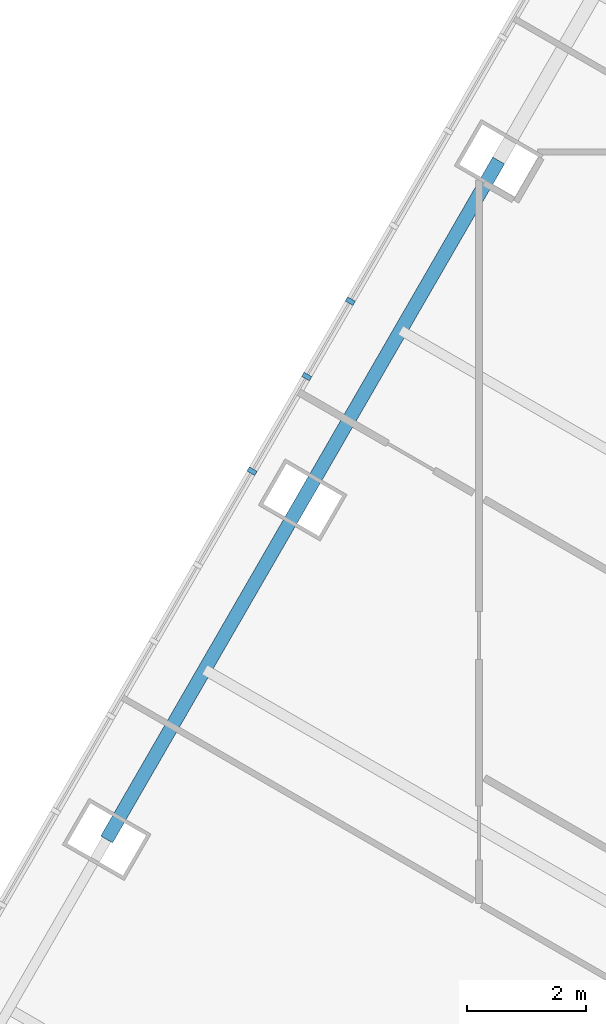
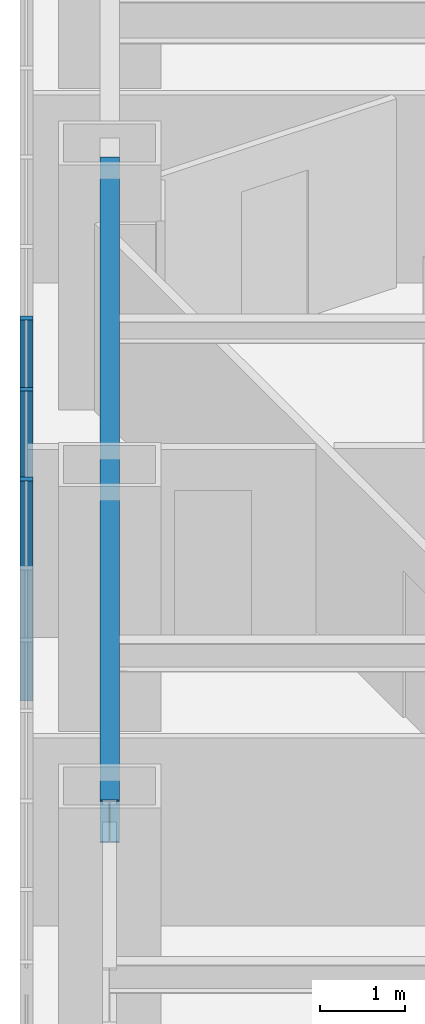
# One storey, part 5 of 21: 3 members, 1 beam, 1 element without a shape of its own.
"""IFC4 building model written with IfcOpenShell, lengths in metres."""

from ifc_helpers import new_model, si_unit, direction, frame, origin, origin_2d, place, context, subcontext, project, spatial, rectangle, i_section, extrude, material, layer, layer_set, material_profile, profile_set, type_object, element, aggregate, save


model = new_model("IFC4")

# Units and contexts
model_context = context("Model", 3, precision=1e-05, world=origin(), true_north=direction((0.0, 1.0)))
body_context = subcontext(model_context, "Body", "Model", "MODEL_VIEW")
ifc_project = project(units=[si_unit("LENGTHUNIT", "METRE"), si_unit("AREAUNIT", "SQUARE_METRE"), si_unit("VOLUMEUNIT", "CUBIC_METRE"), si_unit("PLANEANGLEUNIT", "RADIAN"), si_unit("MASSUNIT", "GRAM", prefix="KILO")], contexts=[model_context])

# Site, building, storey
site_placement = place(None, origin())
site = spatial("IfcSite", under=ifc_project, at=site_placement, CompositionType="ELEMENT")
building_placement = place(site_placement, origin())
building = spatial("IfcBuilding", under=site, at=building_placement, Name="Firuza Gate Tower and Library", CompositionType="ELEMENT")
storey_placement = place(building_placement, frame((0.0, 0.0, 274.10009765625)))
storey = spatial("IfcBuildingStorey", under=building, at=storey_placement, Name="L65", CompositionType="ELEMENT", Elevation=274.10009765625)

# Curtain wall, members
ifc_material_1 = material(Name="Aluminium 6063-T6", Category="aluminium")
ifc_layer = layer(ifc_material_1, 0.14990234375)
ifc_layer_set = layer_set([ifc_layer], Name="Unitised curtain wall, residences")
curtain_wall_type = type_object("IfcCurtainWallType", Name="Unitised curtain wall, residences", PredefinedType="NOTDEFINED", material=ifc_layer_set)
curtain_wall_placement = place(storey_placement, origin())
curtain_wall = element("IfcCurtainWall", 1, at=curtain_wall_placement, inside=storey, type_object=curtain_wall_type, Name="CW3 L65 W face", PredefinedType="NOTDEFINED")
ifc_material_2 = material(Name="Aluminium 6063-T6", Category="aluminium")
ifc_material_profile_1 = material_profile(ifc_material_2, rectangle(XDim=0.14990234375, YDim=0.080078125, at=origin_2d()))
ifc_profile_set_1 = profile_set([ifc_material_profile_1], Name="Aluminium 6063-T6")
member_type = type_object("IfcMemberType", Name="Curtain wall mullion 80x150", PredefinedType="MULLION", material=ifc_profile_set_1)
member_1_placement = place(storey_placement, frame((59.845703125, 83.749267578125, 0.14990234375), z_axis=(0.0, 0.0, 1.0), x_axis=(0.866025403784, -0.5, 0.0)))
member_1 = element("IfcMember", 2, at=member_1_placement, type_object=member_type, Name="Mullion", PredefinedType="MULLION", context=body_context, shape_type="SweptSolid", body=[
    extrude(rectangle(XDim=0.14990234375, YDim=0.080078125, at=origin_2d()), origin(), (0.0, 0.0, 1.0), 3.14990234375),
])
member_2_placement = place(storey_placement, frame((58.201171875, 80.901123046875, 0.14990234375), z_axis=(0.0, 0.0, 1.0), x_axis=(0.866025403784, -0.5, 0.0)))
member_2 = element("IfcMember", 3, at=member_2_placement, type_object=member_type, Name="Mullion", PredefinedType="MULLION", context=body_context, shape_type="SweptSolid", body=[
    extrude(rectangle(XDim=0.14990234375, YDim=0.080078125, at=origin_2d()), origin(), (0.0, 0.0, 1.0), 3.14990234375),
])
member_3_placement = place(storey_placement, frame((59.11669921875, 82.486572265625, 0.14990234375), z_axis=(0.0, 0.0, 1.0), x_axis=(0.866025403784, -0.5, 0.0)))
member_3 = element("IfcMember", 4, at=member_3_placement, type_object=member_type, Name="Mullion", PredefinedType="MULLION", context=body_context, shape_type="SweptSolid", body=[
    extrude(rectangle(XDim=0.14990234375, YDim=0.080078125, at=origin_2d()), origin(), (0.0, 0.0, 1.0), 3.14990234375),
])
aggregate(curtain_wall, [member_1, member_2, member_3])

# Beam
ifc_material_3 = material(Name="Steel S355", Category="steel")
ifc_material_profile_2 = material_profile(ifc_material_3, i_section(OverallWidth=0.22900390625, OverallDepth=0.612060546875, WebThickness=0.011962890625, FlangeThickness=0.01953125, at=origin_2d()))
ifc_profile_set_2 = profile_set([ifc_material_profile_2], Name="Steel S355")
beam_type = type_object("IfcBeamType", Name="W610x125 Edge beam", PredefinedType="SPANDREL", material=ifc_profile_set_2)
beam_placement = place(storey_placement, frame((62.33154296875, 86.104736328125, 2.993896484375), z_axis=(-0.500002498361, -0.86602396135, 0.0), x_axis=(0.86602396135, -0.500002498361, 0.0)))
element("IfcBeam", 5, at=beam_placement, inside=storey, type_object=beam_type, Name="Edge beam L65 e82", PredefinedType="SPANDREL", context=body_context, shape_type="SweptSolid", body=[
    extrude(i_section(OverallWidth=0.22900390625, OverallDepth=0.612060546875, WebThickness=0.011962890625, FlangeThickness=0.01953125, at=origin_2d()), origin(), (0.0, 0.0, 1.0), 13.130859375),
])

save(model, "model.ifc")
